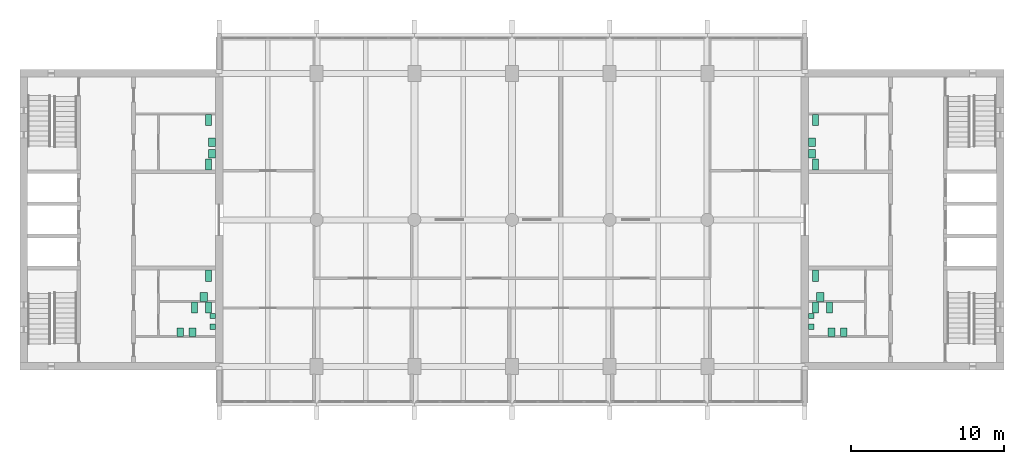
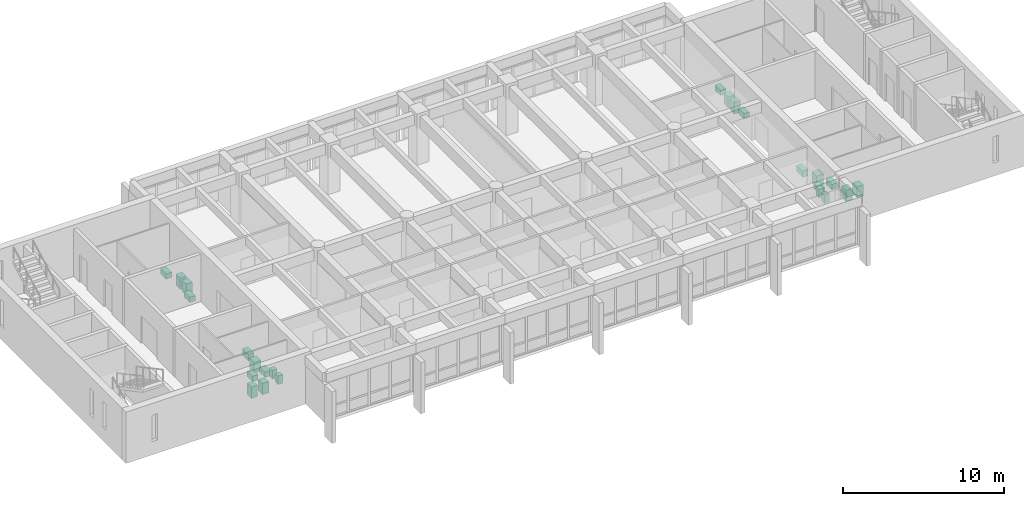
# One storey, part 15 of 15: 24 sanitary terminals.
"""IFC4 building model written with IfcOpenShell, lengths in metres."""

from ifc_helpers import new_model, si_unit, direction, frame, origin, origin_2d, place, context, subcontext, project, spatial, rectangle, extrude, material, type_object, element, save


model = new_model("IFC4")

# Units and contexts
model_context = context("Model", 3, precision=1e-05, world=origin(), true_north=direction((0.0, 1.0)))
body_context = subcontext(model_context, "Body", "Model", "MODEL_VIEW")
ifc_project = project(units=[si_unit("LENGTHUNIT", "METRE"), si_unit("AREAUNIT", "SQUARE_METRE"), si_unit("VOLUMEUNIT", "CUBIC_METRE"), si_unit("PLANEANGLEUNIT", "RADIAN"), si_unit("MASSUNIT", "GRAM", prefix="KILO")], contexts=[model_context])

# Site, building, storey
site_placement = place(None, origin())
site = spatial("IfcSite", under=ifc_project, at=site_placement, CompositionType="ELEMENT")
building_placement = place(site_placement, origin())
building = spatial("IfcBuilding", under=site, at=building_placement, Name="Fogon Plaza Fire Station and Headquarters Tower", CompositionType="ELEMENT")
storey_placement = place(building_placement, frame((0.0, 0.0, 56.10009765625)))
storey = spatial("IfcBuildingStorey", under=building, at=storey_placement, Name="L14", CompositionType="ELEMENT", Elevation=56.10009765625)

# Sanitary terminals
ifc_material_1 = material(Name="Vitreous china")
sanitary_terminal_type_1 = type_object("IfcSanitaryTerminalType", Name="Accessible Hand Basin 600x500", PredefinedType="WASHHANDBASIN", material=ifc_material_1)
for number, where, z_axis, x_axis, name in (
    (1, (24.60009765625, 38.14990234375, 0.0), (0.0, 0.0, 1.0), (1.0, 0.0, 0.0), "Accessible Hand Basin"),
    (2, (65.0, 38.14990234375, 0.0), (0.0, 0.0, 1.0), (1.0, 0.0, 0.0), "Accessible Hand Basin"),
):
    element("IfcSanitaryTerminal", number, at=place(storey_placement, frame(where, z_axis=z_axis, x_axis=x_axis)), inside=storey, type_object=sanitary_terminal_type_1, Name=name, PredefinedType="WASHHANDBASIN", context=body_context, shape_type="SweptSolid", body=[
        extrude(rectangle(XDim=0.5, YDim=0.60009765625, at=origin_2d()), origin(), (0.0, 0.0, 1.0), 0.800048828125),
    ])
ifc_material_2 = material(Name="Vitreous china")
sanitary_terminal_type_2 = type_object("IfcSanitaryTerminalType", Name="Accessible WC Pan 400x750", PredefinedType="TOILETPAN", material=ifc_material_2)
for number, where, z_axis, x_axis, name in (
    (3, (24.89990234375, 39.550048828125, 0.0), (0.0, 0.0, 1.0), (1.0, 0.0, 0.0), "Accessible WC Pan"),
    (4, (64.699951171875, 39.550048828125, 0.0), (0.0, 0.0, 1.0), (1.0, 0.0, 0.0), "Accessible WC Pan"),
):
    element("IfcSanitaryTerminal", number, at=place(storey_placement, frame(where, z_axis=z_axis, x_axis=x_axis)), inside=storey, type_object=sanitary_terminal_type_2, Name=name, PredefinedType="TOILETPAN", context=body_context, shape_type="SweptSolid", body=[
        extrude(rectangle(XDim=0.39990234375, YDim=0.75, at=origin_2d()), origin(), (0.0, 0.0, 1.0), 0.47998046875),
    ])
ifc_material_3 = material(Name="Vitreous china")
sanitary_terminal_type_3 = type_object("IfcSanitaryTerminalType", Name="Hand Basin 550x450", PredefinedType="WASHHANDBASIN", material=ifc_material_3)
for number, where, z_axis, x_axis, name in (
    (5, (23.85009765625, 35.824951171875, -0.000244140625), (0.0, 0.0, 1.0), (1.0, 0.0, 0.0), "Hand Basin"),
    (6, (23.050048828125, 35.824951171875, -0.000244140625), (0.0, 0.0, 1.0), (1.0, 0.0, 0.0), "Hand Basin"),
    (7, (25.125, 47.52490234375, -0.000244140625), (0.0, 0.0, 1.0), (1.0, 0.0, 0.0), "Hand Basin"),
    (8, (25.125, 48.27490234375, -0.000244140625), (0.0, 0.0, 1.0), (1.0, 0.0, 0.0), "Hand Basin"),
    (9, (65.75, 35.824951171875, -0.000244140625), (0.0, 0.0, 1.0), (1.0, 0.0, 0.0), "Hand Basin"),
    (10, (66.550048828125, 35.824951171875, -0.000244140625), (0.0, 0.0, 1.0), (1.0, 0.0, 0.0), "Hand Basin"),
    (11, (64.47509765625, 47.52490234375, -0.000244140625), (0.0, 0.0, 1.0), (1.0, 0.0, 0.0), "Hand Basin"),
    (12, (64.47509765625, 48.27490234375, -0.000244140625), (0.0, 0.0, 1.0), (1.0, 0.0, 0.0), "Hand Basin"),
):
    element("IfcSanitaryTerminal", number, at=place(storey_placement, frame(where, z_axis=z_axis, x_axis=x_axis)), inside=storey, type_object=sanitary_terminal_type_3, Name=name, PredefinedType="WASHHANDBASIN", context=body_context, shape_type="SweptSolid", body=[
        extrude(rectangle(XDim=0.449951171875, YDim=0.550048828125, at=origin_2d()), origin(), (0.0, 0.0, 1.0), 0.85009765625),
    ])
ifc_material_4 = material(Name="Vitreous china")
sanitary_terminal_type_4 = type_object("IfcSanitaryTerminalType", Name="Urinal 350x350", PredefinedType="URINAL", material=ifc_material_4)
for number, where, z_axis, x_axis, name in (
    (13, (25.175048828125, 36.199951171875, 0.0), (0.0, 0.0, 1.0), (1.0, 0.0, 0.0), "Urinal"),
    (14, (25.175048828125, 36.89990234375, 0.0), (0.0, 0.0, 1.0), (1.0, 0.0, 0.0), "Urinal"),
    (15, (64.425048828125, 36.199951171875, 0.0), (0.0, 0.0, 1.0), (1.0, 0.0, 0.0), "Urinal"),
    (16, (64.425048828125, 36.89990234375, 0.0), (0.0, 0.0, 1.0), (1.0, 0.0, 0.0), "Urinal"),
):
    element("IfcSanitaryTerminal", number, at=place(storey_placement, frame(where, z_axis=z_axis, x_axis=x_axis)), inside=storey, type_object=sanitary_terminal_type_4, Name=name, PredefinedType="URINAL", context=body_context, shape_type="SweptSolid", body=[
        extrude(rectangle(XDim=0.35009765625, YDim=0.35009765625, at=origin_2d()), origin(), (0.0, 0.0, 1.0), 0.64990234375),
    ])
ifc_material_5 = material(Name="Vitreous china")
sanitary_terminal_type_5 = type_object("IfcSanitaryTerminalType", Name="WC Pan 400x700", PredefinedType="TOILETPAN", material=ifc_material_5)
for number, where, z_axis, x_axis, name in (
    (17, (24.89990234375, 37.449951171875, 0.0), (0.0, 0.0, 1.0), (1.0, 0.0, 0.0), "WC Pan"),
    (18, (24.0, 37.449951171875, 0.0), (0.0, 0.0, 1.0), (1.0, 0.0, 0.0), "WC Pan"),
    (19, (24.89990234375, 49.75, 0.0), (0.0, 0.0, 1.0), (1.0, 0.0, 0.0), "WC Pan"),
    (20, (24.89990234375, 46.824951171875, 0.0), (0.0, 0.0, 1.0), (1.0, 0.0, 0.0), "WC Pan"),
    (21, (64.699951171875, 37.449951171875, 0.0), (0.0, 0.0, 1.0), (1.0, 0.0, 0.0), "WC Pan"),
    (22, (65.60009765625, 37.449951171875, 0.0), (0.0, 0.0, 1.0), (1.0, 0.0, 0.0), "WC Pan"),
    (23, (64.699951171875, 49.75, 0.0), (0.0, 0.0, 1.0), (1.0, 0.0, 0.0), "WC Pan"),
    (24, (64.699951171875, 46.824951171875, 0.0), (0.0, 0.0, 1.0), (1.0, 0.0, 0.0), "WC Pan"),
):
    element("IfcSanitaryTerminal", number, at=place(storey_placement, frame(where, z_axis=z_axis, x_axis=x_axis)), inside=storey, type_object=sanitary_terminal_type_5, Name=name, PredefinedType="TOILETPAN", context=body_context, shape_type="SweptSolid", body=[
        extrude(rectangle(XDim=0.39990234375, YDim=0.699951171875, at=origin_2d()), origin(), (0.0, 0.0, 1.0), 0.39990234375),
    ])

save(model, "model.ifc")
